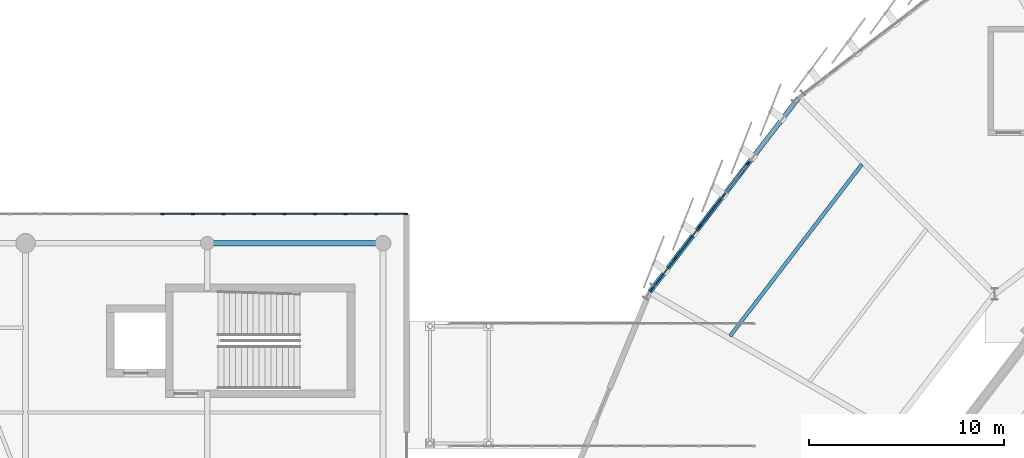
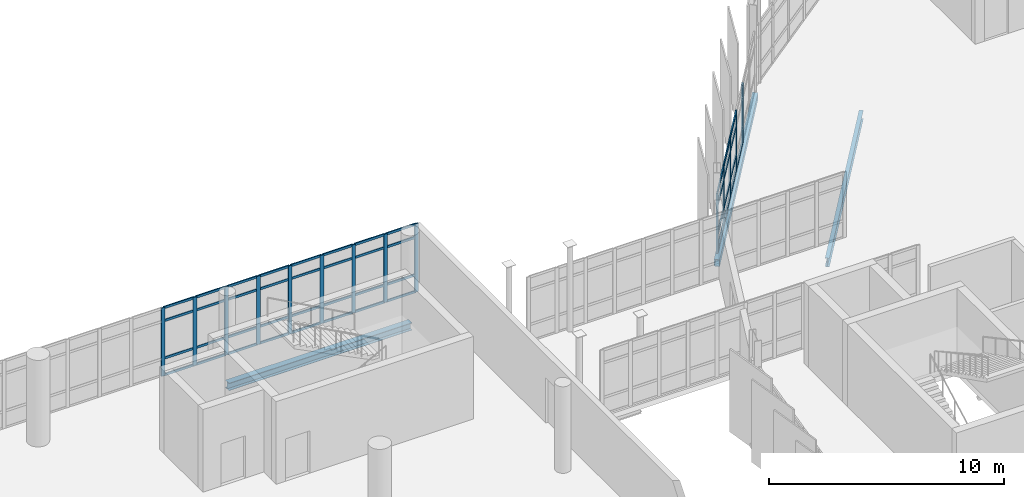
# One storey, part 51 of 134: 59 members, 3 beams, 2 elements without a shape of their own.
"""IFC4 building model written with IfcOpenShell, lengths in metres."""

from ifc_helpers import new_model, si_unit, direction, frame, origin, origin_2d, place, context, subcontext, project, spatial, rectangle, hollow_rectangle, i_section, extrude, material, layer, layer_set, material_profile, profile_set, type_object, element, aggregate, save


model = new_model("IFC4")

# Units and contexts
model_context = context("Model", 3, precision=1e-05, world=origin(), true_north=direction((0.0, 1.0)))
body_context = subcontext(model_context, "Body", "Model", "MODEL_VIEW")
ifc_project = project(units=[si_unit("LENGTHUNIT", "METRE"), si_unit("AREAUNIT", "SQUARE_METRE"), si_unit("VOLUMEUNIT", "CUBIC_METRE"), si_unit("PLANEANGLEUNIT", "RADIAN"), si_unit("MASSUNIT", "GRAM", prefix="KILO")], contexts=[model_context])

# Site, building, storey
site_placement = place(None, origin())
site = spatial("IfcSite", under=ifc_project, at=site_placement, CompositionType="ELEMENT")
building_placement = place(site_placement, origin())
building = spatial("IfcBuilding", under=site, at=building_placement, Name="Sohan Crest Arena", CompositionType="ELEMENT")
storey_placement = place(building_placement, frame((0.0, 0.0, 4.5)))
storey = spatial("IfcBuildingStorey", under=building, at=storey_placement, Name="L01", CompositionType="ELEMENT", Elevation=4.5)

# Curtain wall, members
ifc_material_1 = material(Name="Thermally broken anodised aluminium", Category="aluminium")
ifc_layer_1 = layer(ifc_material_1, 0.199951171875, Name="Thermally broken anodised aluminium")
ifc_layer_set_1 = layer_set([ifc_layer_1], Name="Thermally broken anodised aluminium")
curtain_wall_type_1 = type_object("IfcCurtainWallType", Name="ARC-CW02", PredefinedType="NOTDEFINED", material=ifc_layer_set_1)
curtain_wall_1_placement = place(storey_placement, origin())
curtain_wall_1 = element("IfcCurtainWall", 1, at=curtain_wall_1_placement, inside=storey, type_object=curtain_wall_type_1, Name="Unitised curtain wall CW-207", PredefinedType="NOTDEFINED")
ifc_material_profile_1 = material_profile(ifc_material_1, rectangle(XDim=0.06494140625, YDim=0.179931640625, at=origin_2d()), Name="ALU-MULL 65x180")
ifc_profile_set_1 = profile_set([ifc_material_profile_1], Name="Thermally broken anodised aluminium")
member_type_1 = type_object("IfcMemberType", Name="ARC-CW-ML02", PredefinedType="MULLION", material=ifc_profile_set_1)
member_1_placement = place(storey_placement, frame((43.967529296875, 106.0, 0.0), z_axis=(0.0, 0.0, 1.0), x_axis=(0.0, -1.0, 0.0)))
member_1 = element("IfcMember", 2, at=member_1_placement, type_object=member_type_1, Name="CW-207 mullion 1", PredefinedType="MULLION", context=body_context, shape_type="SweptSolid", body=[
    extrude(rectangle(XDim=0.06494140625, YDim=0.179931640625, at=origin_2d()), origin(), (0.0, 0.0, 1.0), 3.550048828125),
])
member_2_placement = place(storey_placement, frame((42.4375, 106.0, 0.0), z_axis=(0.0, 0.0, 1.0), x_axis=(0.0, -1.0, 0.0)))
member_2 = element("IfcMember", 3, at=member_2_placement, type_object=member_type_1, Name="CW-207 mullion 2", PredefinedType="MULLION", context=body_context, shape_type="SweptSolid", body=[
    extrude(rectangle(XDim=0.06494140625, YDim=0.179931640625, at=origin_2d()), origin(), (0.0, 0.0, 1.0), 3.550048828125),
])
member_3_placement = place(storey_placement, frame((40.875, 106.0, 0.0), z_axis=(0.0, 0.0, 1.0), x_axis=(0.0, -1.0, 0.0)))
member_3 = element("IfcMember", 4, at=member_3_placement, type_object=member_type_1, Name="CW-207 mullion 3", PredefinedType="MULLION", context=body_context, shape_type="SweptSolid", body=[
    extrude(rectangle(XDim=0.06494140625, YDim=0.179931640625, at=origin_2d()), origin(), (0.0, 0.0, 1.0), 3.550048828125),
])
member_4_placement = place(storey_placement, frame((39.3125, 106.0, 0.0), z_axis=(0.0, 0.0, 1.0), x_axis=(0.0, -1.0, 0.0)))
member_4 = element("IfcMember", 5, at=member_4_placement, type_object=member_type_1, Name="CW-207 mullion 4", PredefinedType="MULLION", context=body_context, shape_type="SweptSolid", body=[
    extrude(rectangle(XDim=0.06494140625, YDim=0.179931640625, at=origin_2d()), origin(), (0.0, 0.0, 1.0), 3.550048828125),
])
member_5_placement = place(storey_placement, frame((37.75, 106.0, 0.0), z_axis=(0.0, 0.0, 1.0), x_axis=(0.0, -1.0, 0.0)))
member_5 = element("IfcMember", 6, at=member_5_placement, type_object=member_type_1, Name="CW-207 mullion 5", PredefinedType="MULLION", context=body_context, shape_type="SweptSolid", body=[
    extrude(rectangle(XDim=0.06494140625, YDim=0.179931640625, at=origin_2d()), origin(), (0.0, 0.0, 1.0), 3.550048828125),
])
member_6_placement = place(storey_placement, frame((36.1875, 106.0, 0.0), z_axis=(0.0, 0.0, 1.0), x_axis=(0.0, -1.0, 0.0)))
member_6 = element("IfcMember", 7, at=member_6_placement, type_object=member_type_1, Name="CW-207 mullion 6", PredefinedType="MULLION", context=body_context, shape_type="SweptSolid", body=[
    extrude(rectangle(XDim=0.06494140625, YDim=0.179931640625, at=origin_2d()), origin(), (0.0, 0.0, 1.0), 3.550048828125),
])
member_7_placement = place(storey_placement, frame((34.625, 106.0, 0.0), z_axis=(0.0, 0.0, 1.0), x_axis=(0.0, -1.0, 0.0)))
member_7 = element("IfcMember", 8, at=member_7_placement, type_object=member_type_1, Name="CW-207 mullion 7", PredefinedType="MULLION", context=body_context, shape_type="SweptSolid", body=[
    extrude(rectangle(XDim=0.06494140625, YDim=0.179931640625, at=origin_2d()), origin(), (0.0, 0.0, 1.0), 3.550048828125),
])
member_8_placement = place(storey_placement, frame((33.0625, 106.0, 0.0), z_axis=(0.0, 0.0, 1.0), x_axis=(0.0, -1.0, 0.0)))
member_8 = element("IfcMember", 9, at=member_8_placement, type_object=member_type_1, Name="CW-207 mullion 8", PredefinedType="MULLION", context=body_context, shape_type="SweptSolid", body=[
    extrude(rectangle(XDim=0.06494140625, YDim=0.179931640625, at=origin_2d()), origin(), (0.0, 0.0, 1.0), 3.550048828125),
])
member_9_placement = place(storey_placement, frame((31.5, 106.0, 0.0), z_axis=(0.0, 0.0, 1.0), x_axis=(0.0, -1.0, 0.0)))
member_9 = element("IfcMember", 10, at=member_9_placement, type_object=member_type_1, Name="CW-207 mullion 9", PredefinedType="MULLION", context=body_context, shape_type="SweptSolid", body=[
    extrude(rectangle(XDim=0.06494140625, YDim=0.179931640625, at=origin_2d()), origin(), (0.0, 0.0, 1.0), 3.550048828125),
])

ifc_layer_2 = layer(ifc_material_1, 0.239990234375, Name="Thermally broken anodised aluminium")
ifc_layer_set_2 = layer_set([ifc_layer_2], Name="Thermally broken anodised aluminium")
curtain_wall_type_2 = type_object("IfcCurtainWallType", Name="ARC-CW04", PredefinedType="NOTDEFINED", material=ifc_layer_set_2)
curtain_wall_2_placement = place(storey_placement, origin())
curtain_wall_2 = element("IfcCurtainWall", 11, at=curtain_wall_2_placement, inside=storey, type_object=curtain_wall_type_2, Name="Unitised curtain wall CW-023", PredefinedType="NOTDEFINED")
ifc_material_profile_2 = material_profile(ifc_material_1, rectangle(XDim=0.074951171875, YDim=0.219970703125, at=origin_2d()), Name="ALU-MULL 75x220")
ifc_profile_set_2 = profile_set([ifc_material_profile_2], Name="Thermally broken anodised aluminium")
member_type_2 = type_object("IfcMemberType", Name="ARC-CW-ML04", PredefinedType="MULLION", material=ifc_profile_set_2)
member_10_placement = place(storey_placement, frame((61.489990234375, 108.593017578125, 0.0), z_axis=(0.0, 0.0, 1.0), x_axis=(0.793350515411, -0.608765110447, 0.0)))
member_10 = element("IfcMember", 12, at=member_10_placement, type_object=member_type_2, Name="CW-023 mullion 3", PredefinedType="MULLION", context=body_context, shape_type="SweptSolid", body=[
    extrude(rectangle(XDim=0.074951171875, YDim=0.219970703125, at=origin_2d()), origin(), (0.0, 0.0, 1.0), 3.1201171875),
])
member_11_placement = place(storey_placement, frame((60.2451171875, 106.970458984375, 0.0), z_axis=(0.0, 0.0, 1.0), x_axis=(0.793350515411, -0.608765110447, 0.0)))
member_11 = element("IfcMember", 13, at=member_11_placement, type_object=member_type_2, Name="CW-023 mullion 4", PredefinedType="MULLION", context=body_context, shape_type="SweptSolid", body=[
    extrude(rectangle(XDim=0.074951171875, YDim=0.219970703125, at=origin_2d()), origin(), (0.0, 0.0, 1.0), 3.1201171875),
])
member_12_placement = place(storey_placement, frame((59.0, 105.347900390625, 0.0), z_axis=(0.0, 0.0, 1.0), x_axis=(0.793350515411, -0.608765110447, 0.0)))
member_12 = element("IfcMember", 14, at=member_12_placement, type_object=member_type_2, Name="CW-023 mullion 5", PredefinedType="MULLION", context=body_context, shape_type="SweptSolid", body=[
    extrude(rectangle(XDim=0.074951171875, YDim=0.219970703125, at=origin_2d()), origin(), (0.0, 0.0, 1.0), 3.1201171875),
])
member_13_placement = place(storey_placement, frame((57.7548828125, 103.7255859375, 0.0), z_axis=(0.0, 0.0, 1.0), x_axis=(0.793350515411, -0.608765110447, 0.0)))
member_13 = element("IfcMember", 15, at=member_13_placement, type_object=member_type_2, Name="CW-023 mullion 6", PredefinedType="MULLION", context=body_context, shape_type="SweptSolid", body=[
    extrude(rectangle(XDim=0.074951171875, YDim=0.219970703125, at=origin_2d()), origin(), (0.0, 0.0, 1.0), 3.1201171875),
])
member_14_placement = place(storey_placement, frame((56.53271484375, 102.1328125, 0.0), z_axis=(0.0, 0.0, 1.0), x_axis=(0.793350515411, -0.608765110447, 0.0)))
member_14 = element("IfcMember", 16, at=member_14_placement, type_object=member_type_2, Name="CW-023 mullion 7", PredefinedType="MULLION", context=body_context, shape_type="SweptSolid", body=[
    extrude(rectangle(XDim=0.074951171875, YDim=0.219970703125, at=origin_2d()), origin(), (0.0, 0.0, 1.0), 3.1201171875),
])
ifc_material_profile_3 = material_profile(ifc_material_1, rectangle(XDim=0.06005859375, YDim=0.1201171875, at=origin_2d()), Name="ALU-TRAN 60x120")
ifc_profile_set_3 = profile_set([ifc_material_profile_3], Name="Thermally broken anodised aluminium")
member_type_3 = type_object("IfcMemberType", Name="ARC-CW-TR01", PredefinedType="USERDEFINED", material=ifc_profile_set_3)
member_15_placement = place(storey_placement, frame((61.46728515625, 108.563232421875, 0.030029296875), z_axis=(-0.608806089645, -0.793319068982, 0.0), x_axis=(0.793319068982, -0.608806089645, 0.0)))
member_15 = element("IfcMember", 17, at=member_15_placement, type_object=member_type_3, Name="CW-023 transom 3.1", ObjectType="TRANSOM", PredefinedType="USERDEFINED", context=body_context, shape_type="SweptSolid", body=[
    extrude(rectangle(XDim=0.06005859375, YDim=0.1201171875, at=origin_2d()), origin(), (0.0, 0.0, 1.0), 1.97021484375),
])
member_16_placement = place(storey_placement, frame((60.22216796875, 106.940673828125, 0.030029296875), z_axis=(-0.608728092779, -0.793378918968, 0.0), x_axis=(0.793378918968, -0.608728092779, 0.0)))
member_16 = element("IfcMember", 18, at=member_16_placement, type_object=member_type_3, Name="CW-023 transom 4.1", ObjectType="TRANSOM", PredefinedType="USERDEFINED", context=body_context, shape_type="SweptSolid", body=[
    extrude(rectangle(XDim=0.06005859375, YDim=0.1201171875, at=origin_2d()), origin(), (0.0, 0.0, 1.0), 1.969970703125),
])
member_17_placement = place(storey_placement, frame((60.22216796875, 106.940673828125, 0.89990234375), z_axis=(-0.608728092779, -0.793378918968, 0.0), x_axis=(0.793378918968, -0.608728092779, 0.0)))
member_17 = element("IfcMember", 19, at=member_17_placement, type_object=member_type_3, Name="CW-023 transom 4.2", ObjectType="TRANSOM", PredefinedType="USERDEFINED", context=body_context, shape_type="SweptSolid", body=[
    extrude(rectangle(XDim=0.06005859375, YDim=0.1201171875, at=origin_2d()), origin(), (0.0, 0.0, 1.0), 1.969970703125),
])
member_18_placement = place(storey_placement, frame((60.22216796875, 106.940673828125, 2.419921875), z_axis=(-0.608728092779, -0.793378918968, 0.0), x_axis=(0.793378918968, -0.608728092779, 0.0)))
member_18 = element("IfcMember", 20, at=member_18_placement, type_object=member_type_3, Name="CW-023 transom 4.3", ObjectType="TRANSOM", PredefinedType="USERDEFINED", context=body_context, shape_type="SweptSolid", body=[
    extrude(rectangle(XDim=0.06005859375, YDim=0.1201171875, at=origin_2d()), origin(), (0.0, 0.0, 1.0), 1.969970703125),
])
member_19_placement = place(storey_placement, frame((60.22216796875, 106.940673828125, 3.090087890625), z_axis=(-0.608728092779, -0.793378918968, 0.0), x_axis=(0.793378918968, -0.608728092779, 0.0)))
member_19 = element("IfcMember", 21, at=member_19_placement, type_object=member_type_3, Name="CW-023 transom 4.4", ObjectType="TRANSOM", PredefinedType="USERDEFINED", context=body_context, shape_type="SweptSolid", body=[
    extrude(rectangle(XDim=0.06005859375, YDim=0.1201171875, at=origin_2d()), origin(), (0.0, 0.0, 1.0), 1.969970703125),
])
member_20_placement = place(storey_placement, frame((58.97705078125, 105.318359375, 0.030029296875), z_axis=(-0.608728092779, -0.793378918968, 0.0), x_axis=(0.793378918968, -0.608728092779, 0.0)))
member_20 = element("IfcMember", 22, at=member_20_placement, type_object=member_type_3, Name="CW-023 transom 5.1", ObjectType="TRANSOM", PredefinedType="USERDEFINED", context=body_context, shape_type="SweptSolid", body=[
    extrude(rectangle(XDim=0.06005859375, YDim=0.1201171875, at=origin_2d()), origin(), (0.0, 0.0, 1.0), 1.969970703125),
])
member_21_placement = place(storey_placement, frame((58.97705078125, 105.318359375, 0.89990234375), z_axis=(-0.608728092779, -0.793378918968, 0.0), x_axis=(0.793378918968, -0.608728092779, 0.0)))
member_21 = element("IfcMember", 23, at=member_21_placement, type_object=member_type_3, Name="CW-023 transom 5.2", ObjectType="TRANSOM", PredefinedType="USERDEFINED", context=body_context, shape_type="SweptSolid", body=[
    extrude(rectangle(XDim=0.06005859375, YDim=0.1201171875, at=origin_2d()), origin(), (0.0, 0.0, 1.0), 1.969970703125),
])
member_22_placement = place(storey_placement, frame((58.97705078125, 105.318359375, 2.419921875), z_axis=(-0.608728092779, -0.793378918968, 0.0), x_axis=(0.793378918968, -0.608728092779, 0.0)))
member_22 = element("IfcMember", 24, at=member_22_placement, type_object=member_type_3, Name="CW-023 transom 5.3", ObjectType="TRANSOM", PredefinedType="USERDEFINED", context=body_context, shape_type="SweptSolid", body=[
    extrude(rectangle(XDim=0.06005859375, YDim=0.1201171875, at=origin_2d()), origin(), (0.0, 0.0, 1.0), 1.969970703125),
])
member_23_placement = place(storey_placement, frame((58.97705078125, 105.318359375, 3.090087890625), z_axis=(-0.608728092779, -0.793378918968, 0.0), x_axis=(0.793378918968, -0.608728092779, 0.0)))
member_23 = element("IfcMember", 25, at=member_23_placement, type_object=member_type_3, Name="CW-023 transom 5.4", ObjectType="TRANSOM", PredefinedType="USERDEFINED", context=body_context, shape_type="SweptSolid", body=[
    extrude(rectangle(XDim=0.06005859375, YDim=0.1201171875, at=origin_2d()), origin(), (0.0, 0.0, 1.0), 1.969970703125),
])
member_24_placement = place(storey_placement, frame((57.732177734375, 103.69580078125, 0.030029296875), z_axis=(-0.60877625917, -0.793341960488, 0.0), x_axis=(0.793341960488, -0.60877625917, 0.0)))
member_24 = element("IfcMember", 26, at=member_24_placement, type_object=member_type_3, Name="CW-023 transom 6.1", ObjectType="TRANSOM", PredefinedType="USERDEFINED", context=body_context, shape_type="SweptSolid", body=[
    extrude(rectangle(XDim=0.06005859375, YDim=0.1201171875, at=origin_2d()), origin(), (0.0, 0.0, 1.0), 1.9326171875),
])
member_25_placement = place(storey_placement, frame((57.732177734375, 103.69580078125, 0.89990234375), z_axis=(-0.60877625917, -0.793341960488, 0.0), x_axis=(0.793341960488, -0.60877625917, 0.0)))
member_25 = element("IfcMember", 27, at=member_25_placement, type_object=member_type_3, Name="CW-023 transom 6.2", ObjectType="TRANSOM", PredefinedType="USERDEFINED", context=body_context, shape_type="SweptSolid", body=[
    extrude(rectangle(XDim=0.06005859375, YDim=0.1201171875, at=origin_2d()), origin(), (0.0, 0.0, 1.0), 1.9326171875),
])
member_26_placement = place(storey_placement, frame((57.732177734375, 103.69580078125, 2.419921875), z_axis=(-0.60877625917, -0.793341960488, 0.0), x_axis=(0.793341960488, -0.60877625917, 0.0)))
member_26 = element("IfcMember", 28, at=member_26_placement, type_object=member_type_3, Name="CW-023 transom 6.3", ObjectType="TRANSOM", PredefinedType="USERDEFINED", context=body_context, shape_type="SweptSolid", body=[
    extrude(rectangle(XDim=0.06005859375, YDim=0.1201171875, at=origin_2d()), origin(), (0.0, 0.0, 1.0), 1.9326171875),
])
member_27_placement = place(storey_placement, frame((57.732177734375, 103.69580078125, 3.090087890625), z_axis=(-0.60877625917, -0.793341960488, 0.0), x_axis=(0.793341960488, -0.60877625917, 0.0)))
member_27 = element("IfcMember", 29, at=member_27_placement, type_object=member_type_3, Name="CW-023 transom 6.4", ObjectType="TRANSOM", PredefinedType="USERDEFINED", context=body_context, shape_type="SweptSolid", body=[
    extrude(rectangle(XDim=0.06005859375, YDim=0.1201171875, at=origin_2d()), origin(), (0.0, 0.0, 1.0), 1.9326171875),
])
aggregate(curtain_wall_2, [member_10, member_11, member_12, member_13, member_14, member_15, member_16, member_17, member_18, member_19, member_20, member_21, member_22, member_23, member_24, member_25, member_26, member_27])

# Member
member_28_placement = place(storey_placement, frame((43.93505859375, 106.0, 0.030029296875), z_axis=(-1.0, 0.0, 0.0), x_axis=(0.0, -1.0, 0.0)))
member_28 = element("IfcMember", 30, at=member_28_placement, type_object=member_type_3, Name="CW-207 transom 1.1", ObjectType="TRANSOM", PredefinedType="USERDEFINED", context=body_context, shape_type="SweptSolid", body=[
    extrude(rectangle(XDim=0.06005859375, YDim=0.1201171875, at=origin_2d()), origin(), (0.0, 0.0, 1.0), 1.465087890625),
])

member_29_placement = place(storey_placement, frame((43.93505859375, 106.0, 0.89990234375), z_axis=(-1.0, 0.0, 0.0), x_axis=(0.0, -1.0, 0.0)))
member_29 = element("IfcMember", 31, at=member_29_placement, type_object=member_type_3, Name="CW-207 transom 1.2", ObjectType="TRANSOM", PredefinedType="USERDEFINED", context=body_context, shape_type="SweptSolid", body=[
    extrude(rectangle(XDim=0.06005859375, YDim=0.1201171875, at=origin_2d()), origin(), (0.0, 0.0, 1.0), 1.465087890625),
])

member_30_placement = place(storey_placement, frame((43.93505859375, 106.0, 2.85009765625), z_axis=(-1.0, 0.0, 0.0), x_axis=(0.0, -1.0, 0.0)))
member_30 = element("IfcMember", 32, at=member_30_placement, type_object=member_type_3, Name="CW-207 transom 1.3", ObjectType="TRANSOM", PredefinedType="USERDEFINED", context=body_context, shape_type="SweptSolid", body=[
    extrude(rectangle(XDim=0.06005859375, YDim=0.1201171875, at=origin_2d()), origin(), (0.0, 0.0, 1.0), 1.465087890625),
])

member_31_placement = place(storey_placement, frame((43.93505859375, 106.0, 3.52001953125), z_axis=(-1.0, 0.0, 0.0), x_axis=(0.0, -1.0, 0.0)))
member_31 = element("IfcMember", 33, at=member_31_placement, type_object=member_type_3, Name="CW-207 transom 1.4", ObjectType="TRANSOM", PredefinedType="USERDEFINED", context=body_context, shape_type="SweptSolid", body=[
    extrude(rectangle(XDim=0.06005859375, YDim=0.1201171875, at=origin_2d()), origin(), (0.0, 0.0, 1.0), 1.465087890625),
])

member_32_placement = place(storey_placement, frame((42.405029296875, 106.0, 0.030029296875), z_axis=(-1.0, 0.0, 0.0), x_axis=(0.0, -1.0, 0.0)))
member_32 = element("IfcMember", 34, at=member_32_placement, type_object=member_type_3, Name="CW-207 transom 2.1", ObjectType="TRANSOM", PredefinedType="USERDEFINED", context=body_context, shape_type="SweptSolid", body=[
    extrude(rectangle(XDim=0.06005859375, YDim=0.1201171875, at=origin_2d()), origin(), (0.0, 0.0, 1.0), 1.49755859375),
])

member_33_placement = place(storey_placement, frame((42.405029296875, 106.0, 0.89990234375), z_axis=(-1.0, 0.0, 0.0), x_axis=(0.0, -1.0, 0.0)))
member_33 = element("IfcMember", 35, at=member_33_placement, type_object=member_type_3, Name="CW-207 transom 2.2", ObjectType="TRANSOM", PredefinedType="USERDEFINED", context=body_context, shape_type="SweptSolid", body=[
    extrude(rectangle(XDim=0.06005859375, YDim=0.1201171875, at=origin_2d()), origin(), (0.0, 0.0, 1.0), 1.49755859375),
])

member_34_placement = place(storey_placement, frame((42.405029296875, 106.0, 2.85009765625), z_axis=(-1.0, 0.0, 0.0), x_axis=(0.0, -1.0, 0.0)))
member_34 = element("IfcMember", 36, at=member_34_placement, type_object=member_type_3, Name="CW-207 transom 2.3", ObjectType="TRANSOM", PredefinedType="USERDEFINED", context=body_context, shape_type="SweptSolid", body=[
    extrude(rectangle(XDim=0.06005859375, YDim=0.1201171875, at=origin_2d()), origin(), (0.0, 0.0, 1.0), 1.49755859375),
])

member_35_placement = place(storey_placement, frame((42.405029296875, 106.0, 3.52001953125), z_axis=(-1.0, 0.0, 0.0), x_axis=(0.0, -1.0, 0.0)))
member_35 = element("IfcMember", 37, at=member_35_placement, type_object=member_type_3, Name="CW-207 transom 2.4", ObjectType="TRANSOM", PredefinedType="USERDEFINED", context=body_context, shape_type="SweptSolid", body=[
    extrude(rectangle(XDim=0.06005859375, YDim=0.1201171875, at=origin_2d()), origin(), (0.0, 0.0, 1.0), 1.49755859375),
])

member_36_placement = place(storey_placement, frame((40.842529296875, 106.0, 0.030029296875), z_axis=(-1.0, 0.0, 0.0), x_axis=(0.0, -1.0, 0.0)))
member_36 = element("IfcMember", 38, at=member_36_placement, type_object=member_type_3, Name="CW-207 transom 3.1", ObjectType="TRANSOM", PredefinedType="USERDEFINED", context=body_context, shape_type="SweptSolid", body=[
    extrude(rectangle(XDim=0.06005859375, YDim=0.1201171875, at=origin_2d()), origin(), (0.0, 0.0, 1.0), 1.49755859375),
])

member_37_placement = place(storey_placement, frame((40.842529296875, 106.0, 0.89990234375), z_axis=(-1.0, 0.0, 0.0), x_axis=(0.0, -1.0, 0.0)))
member_37 = element("IfcMember", 39, at=member_37_placement, type_object=member_type_3, Name="CW-207 transom 3.2", ObjectType="TRANSOM", PredefinedType="USERDEFINED", context=body_context, shape_type="SweptSolid", body=[
    extrude(rectangle(XDim=0.06005859375, YDim=0.1201171875, at=origin_2d()), origin(), (0.0, 0.0, 1.0), 1.49755859375),
])

member_38_placement = place(storey_placement, frame((40.842529296875, 106.0, 2.85009765625), z_axis=(-1.0, 0.0, 0.0), x_axis=(0.0, -1.0, 0.0)))
member_38 = element("IfcMember", 40, at=member_38_placement, type_object=member_type_3, Name="CW-207 transom 3.3", ObjectType="TRANSOM", PredefinedType="USERDEFINED", context=body_context, shape_type="SweptSolid", body=[
    extrude(rectangle(XDim=0.06005859375, YDim=0.1201171875, at=origin_2d()), origin(), (0.0, 0.0, 1.0), 1.49755859375),
])

member_39_placement = place(storey_placement, frame((40.842529296875, 106.0, 3.52001953125), z_axis=(-1.0, 0.0, 0.0), x_axis=(0.0, -1.0, 0.0)))
member_39 = element("IfcMember", 41, at=member_39_placement, type_object=member_type_3, Name="CW-207 transom 3.4", ObjectType="TRANSOM", PredefinedType="USERDEFINED", context=body_context, shape_type="SweptSolid", body=[
    extrude(rectangle(XDim=0.06005859375, YDim=0.1201171875, at=origin_2d()), origin(), (0.0, 0.0, 1.0), 1.49755859375),
])

member_40_placement = place(storey_placement, frame((39.280029296875, 106.0, 0.030029296875), z_axis=(-1.0, 0.0, 0.0), x_axis=(0.0, -1.0, 0.0)))
member_40 = element("IfcMember", 42, at=member_40_placement, type_object=member_type_3, Name="CW-207 transom 4.1", ObjectType="TRANSOM", PredefinedType="USERDEFINED", context=body_context, shape_type="SweptSolid", body=[
    extrude(rectangle(XDim=0.06005859375, YDim=0.1201171875, at=origin_2d()), origin(), (0.0, 0.0, 1.0), 1.49755859375),
])

member_41_placement = place(storey_placement, frame((39.280029296875, 106.0, 0.89990234375), z_axis=(-1.0, 0.0, 0.0), x_axis=(0.0, -1.0, 0.0)))
member_41 = element("IfcMember", 43, at=member_41_placement, type_object=member_type_3, Name="CW-207 transom 4.2", ObjectType="TRANSOM", PredefinedType="USERDEFINED", context=body_context, shape_type="SweptSolid", body=[
    extrude(rectangle(XDim=0.06005859375, YDim=0.1201171875, at=origin_2d()), origin(), (0.0, 0.0, 1.0), 1.49755859375),
])

member_42_placement = place(storey_placement, frame((39.280029296875, 106.0, 2.85009765625), z_axis=(-1.0, 0.0, 0.0), x_axis=(0.0, -1.0, 0.0)))
member_42 = element("IfcMember", 44, at=member_42_placement, type_object=member_type_3, Name="CW-207 transom 4.3", ObjectType="TRANSOM", PredefinedType="USERDEFINED", context=body_context, shape_type="SweptSolid", body=[
    extrude(rectangle(XDim=0.06005859375, YDim=0.1201171875, at=origin_2d()), origin(), (0.0, 0.0, 1.0), 1.49755859375),
])

member_43_placement = place(storey_placement, frame((39.280029296875, 106.0, 3.52001953125), z_axis=(-1.0, 0.0, 0.0), x_axis=(0.0, -1.0, 0.0)))
member_43 = element("IfcMember", 45, at=member_43_placement, type_object=member_type_3, Name="CW-207 transom 4.4", ObjectType="TRANSOM", PredefinedType="USERDEFINED", context=body_context, shape_type="SweptSolid", body=[
    extrude(rectangle(XDim=0.06005859375, YDim=0.1201171875, at=origin_2d()), origin(), (0.0, 0.0, 1.0), 1.49755859375),
])

member_44_placement = place(storey_placement, frame((37.717529296875, 106.0, 0.030029296875), z_axis=(-1.0, 0.0, 0.0), x_axis=(0.0, -1.0, 0.0)))
member_44 = element("IfcMember", 46, at=member_44_placement, type_object=member_type_3, Name="CW-207 transom 5.1", ObjectType="TRANSOM", PredefinedType="USERDEFINED", context=body_context, shape_type="SweptSolid", body=[
    extrude(rectangle(XDim=0.06005859375, YDim=0.1201171875, at=origin_2d()), origin(), (0.0, 0.0, 1.0), 1.49755859375),
])

member_45_placement = place(storey_placement, frame((37.717529296875, 106.0, 0.89990234375), z_axis=(-1.0, 0.0, 0.0), x_axis=(0.0, -1.0, 0.0)))
member_45 = element("IfcMember", 47, at=member_45_placement, type_object=member_type_3, Name="CW-207 transom 5.2", ObjectType="TRANSOM", PredefinedType="USERDEFINED", context=body_context, shape_type="SweptSolid", body=[
    extrude(rectangle(XDim=0.06005859375, YDim=0.1201171875, at=origin_2d()), origin(), (0.0, 0.0, 1.0), 1.49755859375),
])

member_46_placement = place(storey_placement, frame((37.717529296875, 106.0, 2.85009765625), z_axis=(-1.0, 0.0, 0.0), x_axis=(0.0, -1.0, 0.0)))
member_46 = element("IfcMember", 48, at=member_46_placement, type_object=member_type_3, Name="CW-207 transom 5.3", ObjectType="TRANSOM", PredefinedType="USERDEFINED", context=body_context, shape_type="SweptSolid", body=[
    extrude(rectangle(XDim=0.06005859375, YDim=0.1201171875, at=origin_2d()), origin(), (0.0, 0.0, 1.0), 1.49755859375),
])

member_47_placement = place(storey_placement, frame((37.717529296875, 106.0, 3.52001953125), z_axis=(-1.0, 0.0, 0.0), x_axis=(0.0, -1.0, 0.0)))
member_47 = element("IfcMember", 49, at=member_47_placement, type_object=member_type_3, Name="CW-207 transom 5.4", ObjectType="TRANSOM", PredefinedType="USERDEFINED", context=body_context, shape_type="SweptSolid", body=[
    extrude(rectangle(XDim=0.06005859375, YDim=0.1201171875, at=origin_2d()), origin(), (0.0, 0.0, 1.0), 1.49755859375),
])

member_48_placement = place(storey_placement, frame((36.155029296875, 106.0, 0.030029296875), z_axis=(-1.0, 0.0, 0.0), x_axis=(0.0, -1.0, 0.0)))
member_48 = element("IfcMember", 50, at=member_48_placement, type_object=member_type_3, Name="CW-207 transom 6.1", ObjectType="TRANSOM", PredefinedType="USERDEFINED", context=body_context, shape_type="SweptSolid", body=[
    extrude(rectangle(XDim=0.06005859375, YDim=0.1201171875, at=origin_2d()), origin(), (0.0, 0.0, 1.0), 1.49755859375),
])

member_49_placement = place(storey_placement, frame((36.155029296875, 106.0, 0.89990234375), z_axis=(-1.0, 0.0, 0.0), x_axis=(0.0, -1.0, 0.0)))
member_49 = element("IfcMember", 51, at=member_49_placement, type_object=member_type_3, Name="CW-207 transom 6.2", ObjectType="TRANSOM", PredefinedType="USERDEFINED", context=body_context, shape_type="SweptSolid", body=[
    extrude(rectangle(XDim=0.06005859375, YDim=0.1201171875, at=origin_2d()), origin(), (0.0, 0.0, 1.0), 1.49755859375),
])

member_50_placement = place(storey_placement, frame((36.155029296875, 106.0, 2.85009765625), z_axis=(-1.0, 0.0, 0.0), x_axis=(0.0, -1.0, 0.0)))
member_50 = element("IfcMember", 52, at=member_50_placement, type_object=member_type_3, Name="CW-207 transom 6.3", ObjectType="TRANSOM", PredefinedType="USERDEFINED", context=body_context, shape_type="SweptSolid", body=[
    extrude(rectangle(XDim=0.06005859375, YDim=0.1201171875, at=origin_2d()), origin(), (0.0, 0.0, 1.0), 1.49755859375),
])

member_51_placement = place(storey_placement, frame((36.155029296875, 106.0, 3.52001953125), z_axis=(-1.0, 0.0, 0.0), x_axis=(0.0, -1.0, 0.0)))
member_51 = element("IfcMember", 53, at=member_51_placement, type_object=member_type_3, Name="CW-207 transom 6.4", ObjectType="TRANSOM", PredefinedType="USERDEFINED", context=body_context, shape_type="SweptSolid", body=[
    extrude(rectangle(XDim=0.06005859375, YDim=0.1201171875, at=origin_2d()), origin(), (0.0, 0.0, 1.0), 1.49755859375),
])

member_52_placement = place(storey_placement, frame((34.592529296875, 106.0, 0.030029296875), z_axis=(-1.0, 0.0, 0.0), x_axis=(0.0, -1.0, 0.0)))
member_52 = element("IfcMember", 54, at=member_52_placement, type_object=member_type_3, Name="CW-207 transom 7.1", ObjectType="TRANSOM", PredefinedType="USERDEFINED", context=body_context, shape_type="SweptSolid", body=[
    extrude(rectangle(XDim=0.06005859375, YDim=0.1201171875, at=origin_2d()), origin(), (0.0, 0.0, 1.0), 1.49755859375),
])

member_53_placement = place(storey_placement, frame((34.592529296875, 106.0, 0.89990234375), z_axis=(-1.0, 0.0, 0.0), x_axis=(0.0, -1.0, 0.0)))
member_53 = element("IfcMember", 55, at=member_53_placement, type_object=member_type_3, Name="CW-207 transom 7.2", ObjectType="TRANSOM", PredefinedType="USERDEFINED", context=body_context, shape_type="SweptSolid", body=[
    extrude(rectangle(XDim=0.06005859375, YDim=0.1201171875, at=origin_2d()), origin(), (0.0, 0.0, 1.0), 1.49755859375),
])

member_54_placement = place(storey_placement, frame((34.592529296875, 106.0, 2.85009765625), z_axis=(-1.0, 0.0, 0.0), x_axis=(0.0, -1.0, 0.0)))
member_54 = element("IfcMember", 56, at=member_54_placement, type_object=member_type_3, Name="CW-207 transom 7.3", ObjectType="TRANSOM", PredefinedType="USERDEFINED", context=body_context, shape_type="SweptSolid", body=[
    extrude(rectangle(XDim=0.06005859375, YDim=0.1201171875, at=origin_2d()), origin(), (0.0, 0.0, 1.0), 1.49755859375),
])

member_55_placement = place(storey_placement, frame((34.592529296875, 106.0, 3.52001953125), z_axis=(-1.0, 0.0, 0.0), x_axis=(0.0, -1.0, 0.0)))
member_55 = element("IfcMember", 57, at=member_55_placement, type_object=member_type_3, Name="CW-207 transom 7.4", ObjectType="TRANSOM", PredefinedType="USERDEFINED", context=body_context, shape_type="SweptSolid", body=[
    extrude(rectangle(XDim=0.06005859375, YDim=0.1201171875, at=origin_2d()), origin(), (0.0, 0.0, 1.0), 1.49755859375),
])

member_56_placement = place(storey_placement, frame((33.030029296875, 106.0, 0.030029296875), z_axis=(-1.0, 0.0, 0.0), x_axis=(0.0, -1.0, 0.0)))
member_56 = element("IfcMember", 58, at=member_56_placement, type_object=member_type_3, Name="CW-207 transom 8.1", ObjectType="TRANSOM", PredefinedType="USERDEFINED", context=body_context, shape_type="SweptSolid", body=[
    extrude(rectangle(XDim=0.06005859375, YDim=0.1201171875, at=origin_2d()), origin(), (0.0, 0.0, 1.0), 1.49755859375),
])

member_57_placement = place(storey_placement, frame((33.030029296875, 106.0, 0.89990234375), z_axis=(-1.0, 0.0, 0.0), x_axis=(0.0, -1.0, 0.0)))
member_57 = element("IfcMember", 59, at=member_57_placement, type_object=member_type_3, Name="CW-207 transom 8.2", ObjectType="TRANSOM", PredefinedType="USERDEFINED", context=body_context, shape_type="SweptSolid", body=[
    extrude(rectangle(XDim=0.06005859375, YDim=0.1201171875, at=origin_2d()), origin(), (0.0, 0.0, 1.0), 1.49755859375),
])

member_58_placement = place(storey_placement, frame((33.030029296875, 106.0, 2.85009765625), z_axis=(-1.0, 0.0, 0.0), x_axis=(0.0, -1.0, 0.0)))
member_58 = element("IfcMember", 60, at=member_58_placement, type_object=member_type_3, Name="CW-207 transom 8.3", ObjectType="TRANSOM", PredefinedType="USERDEFINED", context=body_context, shape_type="SweptSolid", body=[
    extrude(rectangle(XDim=0.06005859375, YDim=0.1201171875, at=origin_2d()), origin(), (0.0, 0.0, 1.0), 1.49755859375),
])

member_59_placement = place(storey_placement, frame((33.030029296875, 106.0, 3.52001953125), z_axis=(-1.0, 0.0, 0.0), x_axis=(0.0, -1.0, 0.0)))
member_59 = element("IfcMember", 61, at=member_59_placement, type_object=member_type_3, Name="CW-207 transom 8.4", ObjectType="TRANSOM", PredefinedType="USERDEFINED", context=body_context, shape_type="SweptSolid", body=[
    extrude(rectangle(XDim=0.06005859375, YDim=0.1201171875, at=origin_2d()), origin(), (0.0, 0.0, 1.0), 1.49755859375),
])

aggregate(curtain_wall_1, [member_1, member_2, member_3, member_4, member_5, member_6, member_7, member_8, member_9, member_28, member_29, member_30, member_31, member_32, member_33, member_34, member_35, member_36, member_37, member_38, member_39, member_40, member_41, member_42, member_43, member_44, member_45, member_46, member_47, member_48, member_49, member_50, member_51, member_52, member_53, member_54, member_55, member_56, member_57, member_58, member_59])

# Beams
ifc_material_2 = material(Name="Steel S355", Category="steel")
ifc_material_profile_4 = material_profile(ifc_material_2, i_section(OverallWidth=0.18994140625, OverallDepth=0.449951171875, WebThickness=0.009521484375, FlangeThickness=0.0146484375, at=origin_2d()), Name="IPE 450")
ifc_profile_set_4 = profile_set([ifc_material_profile_4], Name="Steel S355")
beam_type_1 = type_object("IfcBeamType", Name="STR-BM-B04", PredefinedType="JOIST", material=ifc_profile_set_4)
beam_1_placement = place(storey_placement, frame((67.305908203125, 108.5400390625, -0.5), z_axis=(-0.608788813613, -0.793332326594, 0.0), x_axis=(0.793332326594, -0.608788813613, 0.0)))
element("IfcBeam", 62, at=beam_1_placement, inside=storey, type_object=beam_type_1, Name="Structural beam J-L01-1107", PredefinedType="JOIST", context=body_context, shape_type="SweptSolid", body=[
    extrude(i_section(OverallWidth=0.18994140625, OverallDepth=0.449951171875, WebThickness=0.009521484375, FlangeThickness=0.0146484375, at=origin_2d()), origin(), (0.0, 0.0, 1.0), 11.087646484375),
])
ifc_material_profile_5 = material_profile(ifc_material_2, i_section(OverallWidth=0.300048828125, OverallDepth=0.389892578125, WebThickness=0.010986328125, FlangeThickness=0.01904296875, at=origin_2d()), Name="HEA 400")
ifc_profile_set_5 = profile_set([ifc_material_profile_5], Name="Steel S355")
beam_type_2 = type_object("IfcBeamType", Name="STR-BM-B09", PredefinedType="BEAM", material=ifc_profile_set_5)
beam_2_placement = place(storey_placement, frame((33.800048828125, 104.5, -0.405029296875), z_axis=(1.0, 0.0, 0.0), x_axis=(0.0, 1.0, 0.0)))
element("IfcBeam", 63, at=beam_2_placement, inside=storey, type_object=beam_type_2, Name="Structural beam G-L01-2029", PredefinedType="BEAM", context=body_context, shape_type="SweptSolid", body=[
    extrude(i_section(OverallWidth=0.300048828125, OverallDepth=0.389892578125, WebThickness=0.010986328125, FlangeThickness=0.01904296875, at=origin_2d()), origin(), (0.0, 0.0, 1.0), 9.0),
])
ifc_material_profile_6 = material_profile(ifc_material_2, hollow_rectangle(XDim=0.25, YDim=0.35009765625, WallThickness=0.012451171875, at=origin_2d()), Name="RHS 350x250x12.5")
ifc_profile_set_6 = profile_set([ifc_material_profile_6], Name="Steel S355")
beam_type_3 = type_object("IfcBeamType", Name="STR-BM-SP04", PredefinedType="SPANDREL", material=ifc_profile_set_6)
beam_3_placement = place(storey_placement, frame((64.05908203125, 111.94091796875, -0.449951171875), z_axis=(-0.608773443368, -0.793344121205, 0.0), x_axis=(0.793344121205, -0.608773443368, 0.0)))
element("IfcBeam", 64, at=beam_3_placement, inside=storey, type_object=beam_type_3, Name="Structural beam SP-L01-1105", PredefinedType="SPANDREL", context=body_context, shape_type="SweptSolid", body=[
    extrude(hollow_rectangle(XDim=0.25, YDim=0.35009765625, WallThickness=0.012451171875, at=origin_2d()), origin(), (0.0, 0.0, 1.0), 12.530517578125),
])

save(model, "model.ifc")
